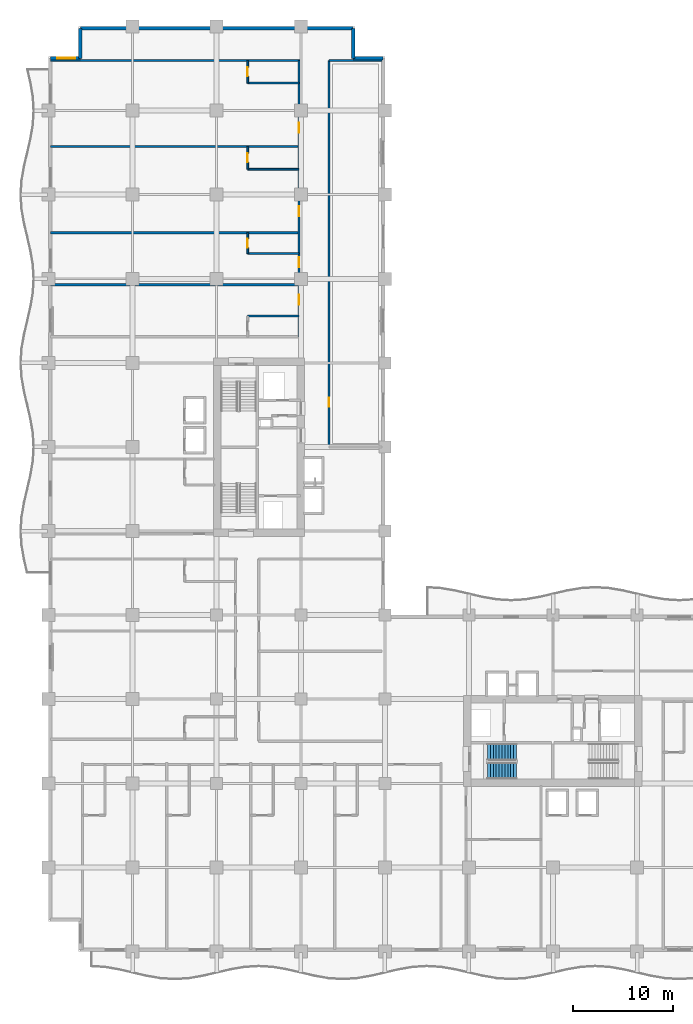
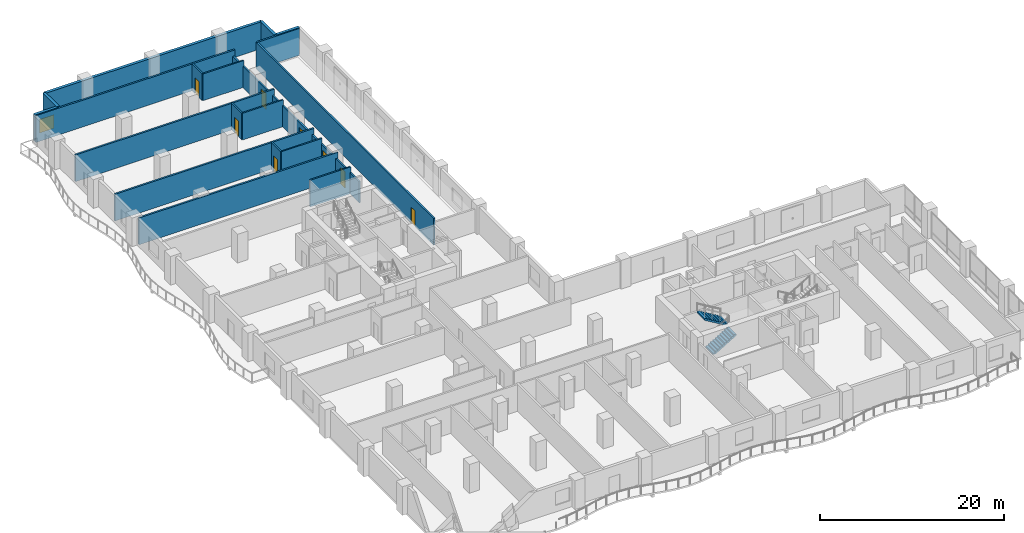
# One storey, part 16 of 24: 19 walls, 8 doors, 2 stair flights, 1 window, 9 openings, 1 element without a shape of its own.
"""IFC4 building model written with IfcOpenShell, lengths in metres."""

import ifcopenshell
import ifcopenshell.guid

model = None  # the IFC model being written
_history = None  # IfcOwnerHistory: only IFC2X3 demands one
_inside = {}  # id of a spatial element -> (the spatial element, [elements in it])
_under = {}  # id of a project, library or spatial element -> (it, [spatial elements below it])
_declared = {}  # id of a project -> (the project, [libraries it declares])
_typed = {}  # id of a type object -> (the type object, [elements of that type])
_made_of = {}  # id of a material, layer set ... -> (it, [elements and type objects made of it])


def new_model(schema):
    """Start an empty IFC model of exactly this schema.

    Asked for "IFC4X3", IfcOpenShell would pick the latest addendum, in which some entities
    have other attributes; the version numbers below select the first issue.
    IFC2X3 requires an IfcOwnerHistory on every rooted entity: one is made here for all.
    """
    global model, _history
    if schema == "IFC4X3":
        model = ifcopenshell.file(schema_version=(4, 3, 0, 0))
    else:
        model = ifcopenshell.file(schema=schema)
    _inside.clear()
    _under.clear()
    _declared.clear()
    _typed.clear()
    _made_of.clear()
    _history = None
    if model.schema == "IFC2X3":
        org = make("IfcOrganization", Name="unknown")
        user = make(
            "IfcPersonAndOrganization",
            ThePerson=make("IfcPerson", FamilyName="unknown"),
            TheOrganization=org,
        )
        app = make(
            "IfcApplication",
            ApplicationDeveloper=org,
            Version="unknown",
            ApplicationFullName="unknown",
            ApplicationIdentifier="unknown",
        )
        _history = make(
            "IfcOwnerHistory",
            OwningUser=user,
            OwningApplication=app,
            ChangeAction="ADDED",
            CreationDate=0,
        )
    return model


def make(cls, **values):
    """One entity of the class cls with the attributes given. An attribute that is None is left unset."""
    return model.create_entity(
        cls, **{name: value for name, value in values.items() if value is not None}
    )


def rooted(cls, **values):
    """An entity with a GlobalId (a new one), such as an element, a storey or a relation."""
    return make(cls, GlobalId=ifcopenshell.guid.new(), OwnerHistory=_history, **values)


def si_unit(unit_type, name, prefix=None):
    """IfcSIUnit, for example si_unit("LENGTHUNIT", "METRE", prefix="MILLI")."""
    return make("IfcSIUnit", UnitType=unit_type, Prefix=prefix, Name=name)


def assignment(units):
    """IfcUnitAssignment: the units of a project."""
    return None if units is None else make("IfcUnitAssignment", Units=units)


def point(xyz):
    """IfcCartesianPoint."""
    return None if xyz is None else make("IfcCartesianPoint", Coordinates=xyz)


def direction(xyz):
    """IfcDirection."""
    return None if xyz is None else make("IfcDirection", DirectionRatios=xyz)


def frame(location, z_axis=None, x_axis=None):
    """IfcAxis2Placement3D, a coordinate frame: its origin and axes. An axis left out is left unset."""
    return make(
        "IfcAxis2Placement3D",
        Location=point(location),
        Axis=direction(z_axis),
        RefDirection=direction(x_axis),
    )


def frame_2d(location, x_axis=None):
    """IfcAxis2Placement2D, a coordinate frame in the plane: its origin and x axis."""
    return make(
        "IfcAxis2Placement2D", Location=point(location), RefDirection=direction(x_axis)
    )


def origin():
    """The frame at (0, 0, 0) with its axes left unset."""
    return frame((0.0, 0.0, 0.0))


def place(relative_to, where):
    """IfcLocalPlacement: puts the frame where relative to a parent placement (None: the world)."""
    return make(
        "IfcLocalPlacement", PlacementRelTo=relative_to, RelativePlacement=where
    )


def context(
    kind, dimensions, precision=None, world=None, true_north=None, identifier=None
):
    """IfcGeometricRepresentationContext, for example the 3D "Model" context."""
    return make(
        "IfcGeometricRepresentationContext",
        ContextIdentifier=identifier,
        ContextType=kind,
        CoordinateSpaceDimension=dimensions,
        Precision=precision,
        WorldCoordinateSystem=world,
        TrueNorth=true_north,
    )


def subcontext(parent, identifier, kind, view, scale=None):
    """IfcGeometricRepresentationSubContext, for example "Body" below "Model"."""
    return make(
        "IfcGeometricRepresentationSubContext",
        ContextIdentifier=identifier,
        ContextType=kind,
        ParentContext=parent,
        TargetScale=scale,
        TargetView=view,
    )


def project(units=None, contexts=None):
    """IfcProject with its units and contexts."""
    return rooted(
        "IfcProject",
        Name="project",
        RepresentationContexts=contexts,
        UnitsInContext=assignment(units),
    )


def spatial(cls, under=None, at=None, **own):
    """A site, building, storey or space (cls), placed at a placement, below another one or the project."""
    s = rooted(cls, ObjectPlacement=at, **own)
    if under is not None:
        _under.setdefault(under.id(), (under, []))[1].append(s)
    return s


def polyline(points):
    """IfcPolyline through the points."""
    return make("IfcPolyline", Points=[point(p) for p in points])


def profile(cls, at=None, kind="AREA", **sizes):
    """A parametric profile (cls). Its sizes go by their IFC names, for example OverallWidth=200.0."""
    return make(cls, ProfileType=kind, Position=at, **sizes)


def rectangle(**sizes):
    """IfcRectangleProfileDef."""
    return profile("IfcRectangleProfileDef", **sizes)


def outline(outer, holes=None, kind="AREA"):
    """IfcArbitraryClosedProfileDef: a profile drawn as a closed curve; with holes, ...WithVoids."""
    if holes is None:
        return make("IfcArbitraryClosedProfileDef", ProfileType=kind, OuterCurve=outer)
    return make(
        "IfcArbitraryProfileDefWithVoids",
        ProfileType=kind,
        OuterCurve=outer,
        InnerCurves=holes,
    )


def extrude(swept, where, along, depth):
    """IfcExtrudedAreaSolid: the profile swept, set in the frame where, extruded along a direction by depth."""
    return make(
        "IfcExtrudedAreaSolid",
        SweptArea=swept,
        Position=where,
        ExtrudedDirection=direction(along),
        Depth=depth,
    )


def shape(context_of_items, identifier, shape_type, items):
    """IfcShapeRepresentation: the items that make up one representation, for example the "Body"."""
    return make(
        "IfcShapeRepresentation",
        ContextOfItems=context_of_items,
        RepresentationIdentifier=identifier,
        RepresentationType=shape_type,
        Items=items,
    )


def material(Name=None, Category=None):
    """IfcMaterial."""
    return make("IfcMaterial", Name=Name, Category=Category)


def layer(
    of_material, thickness, ventilated=None, Name=None, Category=None, Priority=None
):
    """IfcMaterialLayer: one layer of a wall or slab, of a material (None: an air gap)."""
    return make(
        "IfcMaterialLayer",
        Material=of_material,
        LayerThickness=thickness,
        IsVentilated=ventilated,
        Name=Name,
        Category=Category,
        Priority=Priority,
    )


def layer_set(layers, Name=None):
    """IfcMaterialLayerSet."""
    return make("IfcMaterialLayerSet", MaterialLayers=layers, LayerSetName=Name)


def made_of(thing, what):
    """Note that an element or type object is made of a material, layer set ...; save() writes the relation."""
    if what is not None:
        _made_of.setdefault(what.id(), (what, []))[1].append(thing)
    return thing


def type_object(cls, material=None, **own):
    """A type object (cls), such as IfcWallType, which elements share."""
    return made_of(rooted(cls, **own), material)


def element(
    cls,
    number,
    at=None,
    inside=None,
    cuts=None,
    type_object=None,
    material=None,
    context=None,
    identifier="Body",
    shape_type=None,
    held_by="IfcProductDefinitionShape",
    body=None,
    shapes=None,
    **own,
):
    """One element of the class cls, such as IfcWall. Its Tag is "e" and its number.

    at: its placement. inside: the storey or other place that contains it. cuts: it is an
    opening in that element (IfcRelVoidsElement). A single representation is given by context,
    identifier, shape_type and body (its items); several are given by shapes. held_by: the class
    of the entity that holds the representations. save() writes the other relations.
    """
    e = rooted(cls, Tag="e%d" % number, ObjectPlacement=at, **own)
    if body is not None:
        shapes = [shape(context, identifier, shape_type, body)]
    if shapes is not None:
        e.Representation = make(held_by, Representations=shapes)
    if inside is not None:
        _inside.setdefault(inside.id(), (inside, []))[1].append(e)
    if cuts is not None:
        rooted(
            "IfcRelVoidsElement", RelatingBuildingElement=cuts, RelatedOpeningElement=e
        )
    if type_object is not None:
        _typed.setdefault(type_object.id(), (type_object, []))[1].append(e)
    return made_of(e, material)


def fill(opening, filler):
    """IfcRelFillsElement: the door or window that sits in an opening."""
    return rooted(
        "IfcRelFillsElement",
        RelatingOpeningElement=opening,
        RelatedBuildingElement=filler,
    )


def aggregate(whole, parts):
    """IfcRelAggregates: a whole, such as a stair, and the parts it consists of."""
    return rooted("IfcRelAggregates", RelatingObject=whole, RelatedObjects=parts)


def save(model, path):
    """Write the relations noted so far, then the file.

    IfcRelAggregates (storeys below a building ...), IfcRelContainedInSpatialStructure (elements
    in a storey), IfcRelDefinesByType, IfcRelAssociatesMaterial and IfcRelDeclares: one each for
    every whole, place, type object, material and project.
    """
    for whole, parts in _under.values():
        aggregate(whole, parts)
    for where, things in _inside.values():
        rooted(
            "IfcRelContainedInSpatialStructure",
            RelatedElements=things,
            RelatingStructure=where,
        )
    for kind, things in _typed.values():
        rooted("IfcRelDefinesByType", RelatedObjects=things, RelatingType=kind)
    for what, things in _made_of.values():
        rooted("IfcRelAssociatesMaterial", RelatedObjects=things, RelatingMaterial=what)
    for by, libraries in _declared.values():
        rooted("IfcRelDeclares", RelatingContext=by, RelatedDefinitions=libraries)
    model.write(path)


model = new_model("IFC4")

# Units and contexts
model_context = context("Model", 3, precision=1e-05, world=origin(), true_north=direction((0.0, 1.0)))
body_context = subcontext(model_context, "Body", "Model", "MODEL_VIEW")
ifc_project = project(units=[si_unit("LENGTHUNIT", "METRE"), si_unit("AREAUNIT", "SQUARE_METRE"), si_unit("VOLUMEUNIT", "CUBIC_METRE"), si_unit("PLANEANGLEUNIT", "RADIAN"), si_unit("MASSUNIT", "GRAM", prefix="KILO")], contexts=[model_context])

# Site, building, storey
site_placement = place(None, origin())
site = spatial("IfcSite", under=ifc_project, at=site_placement, CompositionType="ELEMENT")
building_placement = place(site_placement, origin())
building = spatial("IfcBuilding", under=site, at=building_placement, Name="Koriwani Terraces Tower", CompositionType="ELEMENT")
storey_placement = place(building_placement, frame((0.0, 0.0, 103.800048828125)))
storey = spatial("IfcBuildingStorey", under=building, at=storey_placement, Name="L24", CompositionType="ELEMENT", Elevation=103.800048828125)

# Wall, openings, doors
ifc_material_1 = material(Name="Autoclaved Cellular Concrete Blockwork", Category="masonry")
ifc_layer_1 = layer(ifc_material_1, 0.199951171875, Name="Autoclaved Cellular Concrete Blockwork")
ifc_layer_set_1 = layer_set([ifc_layer_1], Name="Autoclaved Cellular Concrete Blockwork")
wall_type_1 = type_object("IfcWallType", Name="WALL_CORRIDOR_200", PredefinedType="PARTITIONING", material=ifc_layer_set_1)
wall_1_placement = place(storey_placement, frame((25.0, 61.39990234375, 0.0), z_axis=(0.0, 0.0, 1.0), x_axis=(0.0, 1.0, 0.0)))
wall_1 = element("IfcWall", 1, at=wall_1_placement, inside=storey, type_object=wall_type_1, Name="L24 Interior Wall WCOR-L24-NE-0", PredefinedType="PARTITIONING", context=body_context, shape_type="SweptSolid", body=[
    extrude(rectangle(XDim=27.60009765625, YDim=0.199951171875, at=frame_2d((13.800048828125, 0.0))), origin(), (0.0, 0.0, 1.0), 2.800048828125),
])
opening_1_placement = place(wall_1_placement, frame((3.179931640625, 0.0, 0.0)))
opening_1 = element("IfcOpeningElement", 2, at=opening_1_placement, cuts=wall_1, Name="Opening D-05", PredefinedType="OPENING", context=body_context, shape_type="SweptSolid", body=[
    extrude(rectangle(XDim=1.0, YDim=2.14990234375, at=frame_2d((0.5, 1.074951171875))), frame((0.0, 0.10986328125, 0.0), z_axis=(0.0, -1.0, 0.0), x_axis=(1.0, 0.0, 0.0)), (0.0, 0.0, 1.0), 0.219970703125),
])
opening_2_placement = place(wall_1_placement, frame((6.969970703125, 0.0, 0.0)))
opening_2 = element("IfcOpeningElement", 3, at=opening_2_placement, cuts=wall_1, Name="Opening D-05", PredefinedType="OPENING", context=body_context, shape_type="SweptSolid", body=[
    extrude(rectangle(XDim=1.0, YDim=2.14990234375, at=frame_2d((0.5, 1.074951171875))), frame((0.0, 0.10986328125, 0.0), z_axis=(0.0, -1.0, 0.0), x_axis=(1.0, 0.0, 0.0)), (0.0, 0.0, 1.0), 0.219970703125),
])
opening_3_placement = place(wall_1_placement, frame((12.034912109375, 0.0, 0.0)))
opening_3 = element("IfcOpeningElement", 4, at=opening_3_placement, cuts=wall_1, Name="Opening D-05", PredefinedType="OPENING", context=body_context, shape_type="SweptSolid", body=[
    extrude(rectangle(XDim=1.0, YDim=2.14990234375, at=frame_2d((0.5, 1.074951171875))), frame((0.0, 0.10986328125, 0.0), z_axis=(0.0, -1.0, 0.0), x_axis=(1.0, 0.0, 0.0)), (0.0, 0.0, 1.0), 0.219970703125),
])
opening_4_placement = place(wall_1_placement, frame((20.385009765625, 0.0, 0.0)))
opening_4 = element("IfcOpeningElement", 5, at=opening_4_placement, cuts=wall_1, Name="Opening D-05", PredefinedType="OPENING", context=body_context, shape_type="SweptSolid", body=[
    extrude(rectangle(XDim=1.0, YDim=2.14990234375, at=frame_2d((0.5, 1.074951171875))), frame((0.0, 0.10986328125, 0.0), z_axis=(0.0, -1.0, 0.0), x_axis=(1.0, 0.0, 0.0)), (0.0, 0.0, 1.0), 0.219970703125),
])
ifc_material_2 = material(Name="Architectural Oak Fire Door", Category="wood")
door_type_1 = type_object("IfcDoorType", Name="DOOR_SUITE_ENTRY_1000X2150", OperationType="NOTDEFINED", PredefinedType="DOOR", material=ifc_material_2)
door_1_placement = place(opening_1_placement, origin())
door_1 = element("IfcDoor", 6, at=door_1_placement, inside=storey, type_object=door_type_1, Name="Luxury Hotel Suite 24NE1 Entrance Door", OperationType="SINGLE_SWING_RIGHT", OverallHeight=2.14990234375, OverallWidth=1.0, PredefinedType="DOOR", context=body_context, shape_type="SweptSolid", body=[
    extrude(rectangle(XDim=1.0, YDim=2.14990234375, at=frame_2d((0.5, 1.074951171875))), frame((0.0, 0.02490234375, 0.0), z_axis=(0.0, -1.0, 0.0), x_axis=(1.0, 0.0, 0.0)), (0.0, 0.0, 1.0), 0.050048828125),
])
fill(opening_1, door_1)
door_2_placement = place(opening_2_placement, origin())
door_2 = element("IfcDoor", 7, at=door_2_placement, inside=storey, type_object=door_type_1, Name="Luxury Hotel Suite 24NE2 Entrance Door", OperationType="SINGLE_SWING_RIGHT", OverallHeight=2.14990234375, OverallWidth=1.0, PredefinedType="DOOR", context=body_context, shape_type="SweptSolid", body=[
    extrude(rectangle(XDim=1.0, YDim=2.14990234375, at=frame_2d((0.5, 1.074951171875))), frame((0.0, 0.02490234375, 0.0), z_axis=(0.0, -1.0, 0.0), x_axis=(1.0, 0.0, 0.0)), (0.0, 0.0, 1.0), 0.050048828125),
])
fill(opening_2, door_2)
door_3_placement = place(opening_3_placement, origin())
door_3 = element("IfcDoor", 8, at=door_3_placement, inside=storey, type_object=door_type_1, Name="Luxury Hotel Suite 24NE3 Entrance Door", OperationType="SINGLE_SWING_RIGHT", OverallHeight=2.14990234375, OverallWidth=1.0, PredefinedType="DOOR", context=body_context, shape_type="SweptSolid", body=[
    extrude(rectangle(XDim=1.0, YDim=2.14990234375, at=frame_2d((0.5, 1.074951171875))), frame((0.0, 0.02490234375, 0.0), z_axis=(0.0, -1.0, 0.0), x_axis=(1.0, 0.0, 0.0)), (0.0, 0.0, 1.0), 0.050048828125),
])
fill(opening_3, door_3)
door_4_placement = place(opening_4_placement, origin())
door_4 = element("IfcDoor", 9, at=door_4_placement, inside=storey, type_object=door_type_1, Name="Luxury Hotel Suite 24NE4 Entrance Door", OperationType="SINGLE_SWING_RIGHT", OverallHeight=2.14990234375, OverallWidth=1.0, PredefinedType="DOOR", context=body_context, shape_type="SweptSolid", body=[
    extrude(rectangle(XDim=1.0, YDim=2.14990234375, at=frame_2d((0.5, 1.074951171875))), frame((0.0, 0.02490234375, 0.0), z_axis=(0.0, -1.0, 0.0), x_axis=(1.0, 0.0, 0.0)), (0.0, 0.0, 1.0), 0.050048828125),
])
fill(opening_4, door_4)

# Wall, opening, door
wall_2_placement = place(storey_placement, frame((28.0, 50.39990234375, 0.0), z_axis=(0.0, 0.0, 1.0), x_axis=(0.0, 1.0, 0.0)))
wall_2 = element("IfcWall", 10, at=wall_2_placement, inside=storey, type_object=wall_type_1, Name="L24 Interior Wall WNEC-W-L24", PredefinedType="PARTITIONING", context=body_context, shape_type="SweptSolid", body=[
    extrude(rectangle(XDim=38.60009765625, YDim=0.199951171875, at=frame_2d((19.300048828125, 0.0))), origin(), (0.0, 0.0, 1.0), 3.550048828125),
])
opening_5_placement = place(wall_2_placement, frame((4.0, 0.0, 0.0)))
opening_5 = element("IfcOpeningElement", 11, at=opening_5_placement, cuts=wall_2, Name="Opening D-06", PredefinedType="OPENING", context=body_context, shape_type="SweptSolid", body=[
    extrude(rectangle(XDim=0.919921875, YDim=2.10009765625, at=frame_2d((0.4599609375, 1.050048828125))), frame((0.0, 0.10986328125, 0.0), z_axis=(0.0, -1.0, 0.0), x_axis=(1.0, 0.0, 0.0)), (0.0, 0.0, 1.0), 0.219970703125),
])
door_type_2 = type_object("IfcDoorType", Name="DOOR_ROOM_INT_920X2100", OperationType="NOTDEFINED", PredefinedType="DOOR", material=ifc_material_2)
door_5_placement = place(opening_5_placement, origin())
door_5 = element("IfcDoor", 12, at=door_5_placement, inside=storey, type_object=door_type_2, Name="L24 North Court Study Door", OperationType="SINGLE_SWING_RIGHT", OverallHeight=2.10009765625, OverallWidth=0.919921875, PredefinedType="DOOR", context=body_context, shape_type="SweptSolid", body=[
    extrude(rectangle(XDim=0.919921875, YDim=2.10009765625, at=frame_2d((0.4599609375, 1.050048828125))), frame((0.0, 0.02490234375, 0.0), z_axis=(0.0, -1.0, 0.0), x_axis=(1.0, 0.0, 0.0)), (0.0, 0.0, 1.0), 0.050048828125),
])
fill(opening_5, door_5)

# Walls
ifc_layer_2 = layer(ifc_material_1, 0.219970703125, Name="Autoclaved Cellular Concrete Blockwork")
ifc_layer_set_2 = layer_set([ifc_layer_2], Name="Autoclaved Cellular Concrete Blockwork")
wall_type_2 = type_object("IfcWallType", Name="WALL_DEMISING_220", PredefinedType="PARTITIONING", material=ifc_layer_set_2)
for number, where, z_axis, x_axis, name in (
    (13, (0.199951171875, 66.60009765625, 0.0), (0.0, 0.0, 1.0), (1.0, 0.0, 0.0), "L24 Interior Wall WDEM-L24-NE-1"),
    (14, (0.199951171875, 71.800048828125, 0.0), (0.0, 0.0, 1.0), (1.0, 0.0, 0.0), "L24 Interior Wall WDEM-L24-NE-2"),
    (15, (0.199951171875, 80.39990234375, 0.0), (0.0, 0.0, 1.0), (1.0, 0.0, 0.0), "L24 Interior Wall WDEM-L24-NE-3"),
    (16, (0.199951171875, 89.0, 0.0), (0.0, 0.0, 1.0), (1.0, 0.0, 0.0), "L24 Interior Wall WDEME-L24-NE"),
):
    element("IfcWall", number, at=place(storey_placement, frame(where, z_axis=z_axis, x_axis=x_axis)), inside=storey, type_object=wall_type_2, Name=name, PredefinedType="PARTITIONING", context=body_context, shape_type="SweptSolid", body=[
        extrude(rectangle(XDim=24.97998046875, YDim=0.219970703125, at=frame_2d((12.489990234375, 0.0))), origin(), (0.0, 0.0, 1.0), 3.550048828125),
    ])
wall_3_placement = place(storey_placement, frame((28.0, 89.0, 0.0), z_axis=(0.0, 0.0, 1.0), x_axis=(1.0, 0.0, 0.0)))
element("IfcWall", 17, at=wall_3_placement, inside=storey, type_object=wall_type_2, Name="L24 Interior Wall WNEC-N-L24", PredefinedType="PARTITIONING", context=body_context, shape_type="SweptSolid", body=[
    extrude(rectangle(XDim=5.300048828125, YDim=0.219970703125, at=frame_2d((2.64990234375, 0.0))), origin(), (0.0, 0.0, 1.0), 3.550048828125),
])

# Wall, opening, window
ifc_material_3 = material(Name="Concrete C50/60", Category="concrete")
ifc_layer_3 = layer(ifc_material_3, 0.35009765625, Name="Concrete C50/60")
ifc_layer_set_3 = layer_set([ifc_layer_3], Name="Concrete C50/60")
wall_type_3 = type_object("IfcWallType", Name="WALL_EXT_BRUTALIST_350", PredefinedType="STANDARD", material=ifc_layer_set_3)
wall_4_placement = place(storey_placement, frame((0.175048828125, 89.22509765625, 0.0), z_axis=(0.0, 0.0, 1.0), x_axis=(1.0, 0.0, 0.0)))
wall_4 = element("IfcWall", 18, at=wall_4_placement, inside=storey, type_object=wall_type_3, Name="L24 Fair-Faced Brutalist Exterior Wall (N3)", PredefinedType="STANDARD", context=body_context, shape_type="SweptSolid", body=[
    extrude(rectangle(XDim=3.0, YDim=0.35009765625, at=frame_2d((1.5, 0.0))), origin(), (0.0, 0.0, 1.0), 3.550048828125),
])
opening_6_placement = place(wall_4_placement, frame((0.677490234375, 0.0, 0.85009765625)))
opening_6 = element("IfcOpeningElement", 19, at=opening_6_placement, cuts=wall_4, Name="Opening W-04", PredefinedType="OPENING", context=body_context, shape_type="SweptSolid", body=[
    extrude(rectangle(XDim=1.800048828125, YDim=1.800048828125, at=frame_2d((0.89990234375, 0.89990234375))), frame((0.0, 0.18505859375, 0.0), z_axis=(0.0, -1.0, 0.0), x_axis=(1.0, 0.0, 0.0)), (0.0, 0.0, 1.0), 0.3701171875),
])
ifc_material_4 = material(Name="Tempered Laminated Low-E Glass", Category="glass")
window_type = type_object("IfcWindowType", Name="WIN_RES_BED_1800X1800", PartitioningType="DOUBLE_PANEL_VERTICAL", PredefinedType="WINDOW", material=ifc_material_4)
window_placement = place(opening_6_placement, origin())
window = element("IfcWindow", 20, at=window_placement, inside=storey, type_object=window_type, Name="L24 Exterior Window (N3-R49)", OverallHeight=1.800048828125, OverallWidth=1.800048828125, PartitioningType="SINGLE_PANEL", PredefinedType="WINDOW", context=body_context, shape_type="SweptSolid", body=[
    extrude(rectangle(XDim=1.800048828125, YDim=1.800048828125, at=frame_2d((0.89990234375, 0.89990234375))), frame((0.0, 0.030029296875, 0.0), z_axis=(0.0, -1.0, 0.0), x_axis=(1.0, 0.0, 0.0)), (0.0, 0.0, 1.0), 0.06005859375),
])
fill(opening_6, window)

# Walls
wall_5_placement = place(storey_placement, frame((3.175048828125, 89.22509765625, 0.0), z_axis=(0.0, 0.0, 1.0), x_axis=(0.0, 1.0, 0.0)))
element("IfcWall", 21, at=wall_5_placement, inside=storey, type_object=wall_type_3, Name="L24 Fair-Faced Brutalist Exterior Wall (N4)", PredefinedType="STANDARD", context=body_context, shape_type="SweptSolid", body=[
    extrude(rectangle(XDim=3.0, YDim=0.35009765625, at=frame_2d((1.5, 0.0))), origin(), (0.0, 0.0, 1.0), 3.550048828125),
])
wall_6_placement = place(storey_placement, frame((3.175048828125, 92.22509765625, 0.0), z_axis=(0.0, 0.0, 1.0), x_axis=(1.0, 0.0, 0.0)))
element("IfcWall", 22, at=wall_6_placement, inside=storey, type_object=wall_type_3, Name="L24 Fair-Faced Brutalist Exterior Wall (N_TIP)", PredefinedType="STANDARD", context=body_context, shape_type="SweptSolid", body=[
    extrude(rectangle(XDim=27.25, YDim=0.35009765625, at=frame_2d((13.625, 0.0))), origin(), (0.0, 0.0, 1.0), 3.550048828125),
])
for number, where, z_axis, x_axis, name in (
    (23, (30.425048828125, 92.22509765625, 0.0), (0.0, 0.0, 1.0), (0.0, -1.0, 0.0), "L24 Fair-Faced Brutalist Exterior Wall (N6)"),
    (24, (30.425048828125, 89.22509765625, 0.0), (0.0, 0.0, 1.0), (1.0, 0.0, 0.0), "L24 Fair-Faced Brutalist Exterior Wall (N7)"),
):
    element("IfcWall", number, at=place(storey_placement, frame(where, z_axis=z_axis, x_axis=x_axis)), inside=storey, type_object=wall_type_3, Name=name, PredefinedType="STANDARD", context=body_context, shape_type="SweptSolid", body=[
        extrude(rectangle(XDim=3.0, YDim=0.35009765625, at=frame_2d((1.5, 0.0))), origin(), (0.0, 0.0, 1.0), 3.550048828125),
    ])
ifc_material_5 = material(Name="Fire-Rated Acoustic Gypsum Partition", Category="masonry")
ifc_layer_4 = layer(ifc_material_5, 0.179931640625, Name="Fire-Rated Acoustic Gypsum Partition")
ifc_layer_set_4 = layer_set([ifc_layer_4], Name="Fire-Rated Acoustic Gypsum Partition")
wall_type_4 = type_object("IfcWallType", Name="WALL_PLUMBING_180", PredefinedType="PLUMBINGWALL", material=ifc_layer_set_4)
wall_7_placement = place(storey_placement, frame((19.89990234375, 63.47998046875, 0.0), z_axis=(0.0, 0.0, 1.0), x_axis=(1.0, 0.0, 0.0)))
element("IfcWall", 25, at=wall_7_placement, inside=storey, type_object=wall_type_4, Name="L24 Interior Wall WBTH2-L24-NE-0", PredefinedType="PLUMBINGWALL", context=body_context, shape_type="SweptSolid", body=[
    extrude(rectangle(XDim=5.10009765625, YDim=0.179931640625, at=frame_2d((2.550048828125, 0.0))), origin(), (0.0, 0.0, 1.0), 3.550048828125),
])

# Wall, opening, door
wall_8_placement = place(storey_placement, frame((19.89990234375, 69.719970703125, 0.0), z_axis=(0.0, 0.0, 1.0), x_axis=(0.0, 1.0, 0.0)))
wall_8 = element("IfcWall", 26, at=wall_8_placement, inside=storey, type_object=wall_type_4, Name="L24 Interior Wall WBTH1-L24-NE-1", PredefinedType="PLUMBINGWALL", context=body_context, shape_type="SweptSolid", body=[
    extrude(rectangle(XDim=2.080078125, YDim=0.179931640625, at=frame_2d((1.0400390625, 0.0))), origin(), (0.0, 0.0, 1.0), 3.550048828125),
])
opening_7_placement = place(wall_8_placement, frame((0.590087890625, 0.0, 0.0)))
opening_7 = element("IfcOpeningElement", 27, at=opening_7_placement, cuts=wall_8, Name="Opening D-07", PredefinedType="OPENING", context=body_context, shape_type="SweptSolid", body=[
    extrude(rectangle(XDim=0.89990234375, YDim=2.10009765625, at=frame_2d((0.449951171875, 1.050048828125))), frame((0.0, 0.10009765625, 0.0), z_axis=(0.0, -1.0, 0.0), x_axis=(1.0, 0.0, 0.0)), (0.0, 0.0, 1.0), 0.199951171875),
])
door_type_3 = type_object("IfcDoorType", Name="DOOR_BATH_INT_900X2100", OperationType="NOTDEFINED", PredefinedType="DOOR", material=ifc_material_2)
door_6_placement = place(opening_7_placement, origin())
door_6 = element("IfcDoor", 28, at=door_6_placement, inside=storey, type_object=door_type_3, Name="En-Suite Bathroom 24NE2 Door", OperationType="SINGLE_SWING_LEFT", OverallHeight=2.10009765625, OverallWidth=0.89990234375, PredefinedType="DOOR", context=body_context, shape_type="SweptSolid", body=[
    extrude(rectangle(XDim=0.89990234375, YDim=2.10009765625, at=frame_2d((0.449951171875, 1.050048828125))), frame((0.0, 0.02490234375, 0.0), z_axis=(0.0, -1.0, 0.0), x_axis=(1.0, 0.0, 0.0)), (0.0, 0.0, 1.0), 0.050048828125),
])
fill(opening_7, door_6)

# Wall
wall_9_placement = place(storey_placement, frame((19.89990234375, 69.719970703125, 0.0), z_axis=(0.0, 0.0, 1.0), x_axis=(1.0, 0.0, 0.0)))
element("IfcWall", 29, at=wall_9_placement, inside=storey, type_object=wall_type_4, Name="L24 Interior Wall WBTH2-L24-NE-1", PredefinedType="PLUMBINGWALL", context=body_context, shape_type="SweptSolid", body=[
    extrude(rectangle(XDim=5.10009765625, YDim=0.179931640625, at=frame_2d((2.550048828125, 0.0))), origin(), (0.0, 0.0, 1.0), 3.550048828125),
])

# Wall, opening, door
wall_10_placement = place(storey_placement, frame((19.89990234375, 78.14990234375, 0.0), z_axis=(0.0, 0.0, 1.0), x_axis=(0.0, 1.0, 0.0)))
wall_10 = element("IfcWall", 30, at=wall_10_placement, inside=storey, type_object=wall_type_4, Name="L24 Interior Wall WBTH1-L24-NE-2", PredefinedType="PLUMBINGWALL", context=body_context, shape_type="SweptSolid", body=[
    extrude(rectangle(XDim=2.25, YDim=0.179931640625, at=frame_2d((1.125, 0.0))), origin(), (0.0, 0.0, 1.0), 3.550048828125),
])
opening_8_placement = place(wall_10_placement, frame((0.675048828125, 0.0, 0.0)))
opening_8 = element("IfcOpeningElement", 31, at=opening_8_placement, cuts=wall_10, Name="Opening D-07", PredefinedType="OPENING", context=body_context, shape_type="SweptSolid", body=[
    extrude(rectangle(XDim=0.89990234375, YDim=2.10009765625, at=frame_2d((0.449951171875, 1.050048828125))), frame((0.0, 0.10009765625, 0.0), z_axis=(0.0, -1.0, 0.0), x_axis=(1.0, 0.0, 0.0)), (0.0, 0.0, 1.0), 0.199951171875),
])
door_7_placement = place(opening_8_placement, origin())
door_7 = element("IfcDoor", 32, at=door_7_placement, inside=storey, type_object=door_type_3, Name="En-Suite Bathroom 24NE3 Door", OperationType="SINGLE_SWING_LEFT", OverallHeight=2.10009765625, OverallWidth=0.89990234375, PredefinedType="DOOR", context=body_context, shape_type="SweptSolid", body=[
    extrude(rectangle(XDim=0.89990234375, YDim=2.10009765625, at=frame_2d((0.449951171875, 1.050048828125))), frame((0.0, 0.02490234375, 0.0), z_axis=(0.0, -1.0, 0.0), x_axis=(1.0, 0.0, 0.0)), (0.0, 0.0, 1.0), 0.050048828125),
])
fill(opening_8, door_7)

# Wall
wall_11_placement = place(storey_placement, frame((19.89990234375, 78.14990234375, 0.0), z_axis=(0.0, 0.0, 1.0), x_axis=(1.0, 0.0, 0.0)))
element("IfcWall", 33, at=wall_11_placement, inside=storey, type_object=wall_type_4, Name="L24 Interior Wall WBTH2-L24-NE-2", PredefinedType="PLUMBINGWALL", context=body_context, shape_type="SweptSolid", body=[
    extrude(rectangle(XDim=5.10009765625, YDim=0.179931640625, at=frame_2d((2.550048828125, 0.0))), origin(), (0.0, 0.0, 1.0), 3.550048828125),
])

# Wall, opening, door
wall_12_placement = place(storey_placement, frame((19.89990234375, 86.75, 0.0), z_axis=(0.0, 0.0, 1.0), x_axis=(0.0, 1.0, 0.0)))
wall_12 = element("IfcWall", 34, at=wall_12_placement, inside=storey, type_object=wall_type_4, Name="L24 Interior Wall WBTH1-L24-NE-3", PredefinedType="PLUMBINGWALL", context=body_context, shape_type="SweptSolid", body=[
    extrude(rectangle(XDim=2.25, YDim=0.179931640625, at=frame_2d((1.125, 0.0))), origin(), (0.0, 0.0, 1.0), 3.550048828125),
])
opening_9_placement = place(wall_12_placement, frame((0.675048828125, 0.0, 0.0)))
opening_9 = element("IfcOpeningElement", 35, at=opening_9_placement, cuts=wall_12, Name="Opening D-07", PredefinedType="OPENING", context=body_context, shape_type="SweptSolid", body=[
    extrude(rectangle(XDim=0.89990234375, YDim=2.10009765625, at=frame_2d((0.449951171875, 1.050048828125))), frame((0.0, 0.10009765625, 0.0), z_axis=(0.0, -1.0, 0.0), x_axis=(1.0, 0.0, 0.0)), (0.0, 0.0, 1.0), 0.199951171875),
])
door_8_placement = place(opening_9_placement, origin())
door_8 = element("IfcDoor", 36, at=door_8_placement, inside=storey, type_object=door_type_3, Name="En-Suite Bathroom 24NE4 Door", OperationType="SINGLE_SWING_LEFT", OverallHeight=2.10009765625, OverallWidth=0.89990234375, PredefinedType="DOOR", context=body_context, shape_type="SweptSolid", body=[
    extrude(rectangle(XDim=0.89990234375, YDim=2.10009765625, at=frame_2d((0.449951171875, 1.050048828125))), frame((0.0, 0.02490234375, 0.0), z_axis=(0.0, -1.0, 0.0), x_axis=(1.0, 0.0, 0.0)), (0.0, 0.0, 1.0), 0.050048828125),
])
fill(opening_9, door_8)

# Wall
wall_13_placement = place(storey_placement, frame((19.89990234375, 86.75, 0.0), z_axis=(0.0, 0.0, 1.0), x_axis=(1.0, 0.0, 0.0)))
element("IfcWall", 37, at=wall_13_placement, inside=storey, type_object=wall_type_4, Name="L24 Interior Wall WBTH2-L24-NE-3", PredefinedType="PLUMBINGWALL", context=body_context, shape_type="SweptSolid", body=[
    extrude(rectangle(XDim=5.10009765625, YDim=0.179931640625, at=frame_2d((2.550048828125, 0.0))), origin(), (0.0, 0.0, 1.0), 3.550048828125),
])

# Stair, stair flights
ifc_material_6 = material(Name="Concrete C40/50", Category="concrete")
stair_type = type_object("IfcStairType", Name="STAIR_CORE_DOGLEG_1650", PredefinedType="TWO_STRAIGHT_RUN_STAIR", material=ifc_material_6)
stair_placement = place(storey_placement, origin())
stair = element("IfcStair", 38, at=stair_placement, inside=storey, type_object=stair_type, Name="L24 East Core Exit Stair 1", PredefinedType="HALF_TURN_STAIR")
stair_flight_type = type_object("IfcStairFlightType", Name="STAIR_FLIGHT_RC_1650", PredefinedType="STRAIGHT", material=ifc_material_6)
stair_flight_1_placement = place(storey_placement, frame((43.85009765625, 18.074951171875, 0.0), z_axis=(0.0, 0.0, 1.0), x_axis=(1.0, 0.0, 0.0)))
stair_flight_1 = element("IfcStairFlight", 39, at=stair_flight_1_placement, type_object=stair_flight_type, Name="ST-E1 flight 1", NumberOfRisers=11, NumberOfTreads=10, PredefinedType="STRAIGHT", RiserHeight=0.172727273, TreadLength=0.29, context=body_context, shape_type="SweptSolid", body=[
    extrude(outline(polyline([(0.0, 0.0), (0.0, 0.172607421875), (0.2900390625, 0.172607421875), (0.2900390625, 0.345458984375), (0.580078125, 0.345458984375), (0.580078125, 0.51806640625), (0.8701171875, 0.51806640625), (0.8701171875, 0.69091796875), (1.159912109375, 0.69091796875), (1.159912109375, 0.863525390625), (1.449951171875, 0.863525390625), (1.449951171875, 1.036376953125), (1.739990234375, 1.036376953125), (1.739990234375, 1.208984375), (2.030029296875, 1.208984375), (2.030029296875, 1.3818359375), (2.320068359375, 1.3818359375), (2.320068359375, 1.554443359375), (2.610107421875, 1.554443359375), (2.610107421875, 1.727294921875), (2.89990234375, 1.727294921875), (2.89990234375, 1.89990234375), (2.89990234375, 1.517822265625), (0.3515625, 0.0), (0.0, 0.0)])), frame((0.0, 0.824951171875, 0.0), z_axis=(0.0, -1.0, 0.0), x_axis=(1.0, 0.0, 0.0)), (0.0, 0.0, 1.0), 1.64990234375),
])
stair_flight_2_placement = place(storey_placement, frame((46.75, 19.925048828125, 1.89990234375), z_axis=(0.0, 0.0, 1.0), x_axis=(-1.0, 0.0, 0.0)))
stair_flight_2 = element("IfcStairFlight", 40, at=stair_flight_2_placement, type_object=stair_flight_type, Name="ST-E1 flight 2", NumberOfRisers=11, NumberOfTreads=10, PredefinedType="STRAIGHT", RiserHeight=0.172727273, TreadLength=0.29, context=body_context, shape_type="SweptSolid", body=[
    extrude(outline(polyline([(0.0, 0.0), (0.0, 0.172607421875), (0.2900390625, 0.172607421875), (0.2900390625, 0.345458984375), (0.580078125, 0.345458984375), (0.580078125, 0.51806640625), (0.8701171875, 0.51806640625), (0.8701171875, 0.69091796875), (1.159912109375, 0.69091796875), (1.159912109375, 0.863525390625), (1.449951171875, 0.863525390625), (1.449951171875, 1.036376953125), (1.739990234375, 1.036376953125), (1.739990234375, 1.208984375), (2.030029296875, 1.208984375), (2.030029296875, 1.3818359375), (2.320068359375, 1.3818359375), (2.320068359375, 1.554443359375), (2.610107421875, 1.554443359375), (2.610107421875, 1.727294921875), (2.89990234375, 1.727294921875), (2.89990234375, 1.89990234375), (2.89990234375, 1.517822265625), (0.3515625, 0.0), (0.0, 0.0)])), frame((0.0, 0.824951171875, 0.0), z_axis=(0.0, -1.0, 0.0), x_axis=(1.0, 0.0, 0.0)), (0.0, 0.0, 1.0), 1.64990234375),
])
aggregate(stair, [stair_flight_1, stair_flight_2])

save(model, "model.ifc")
